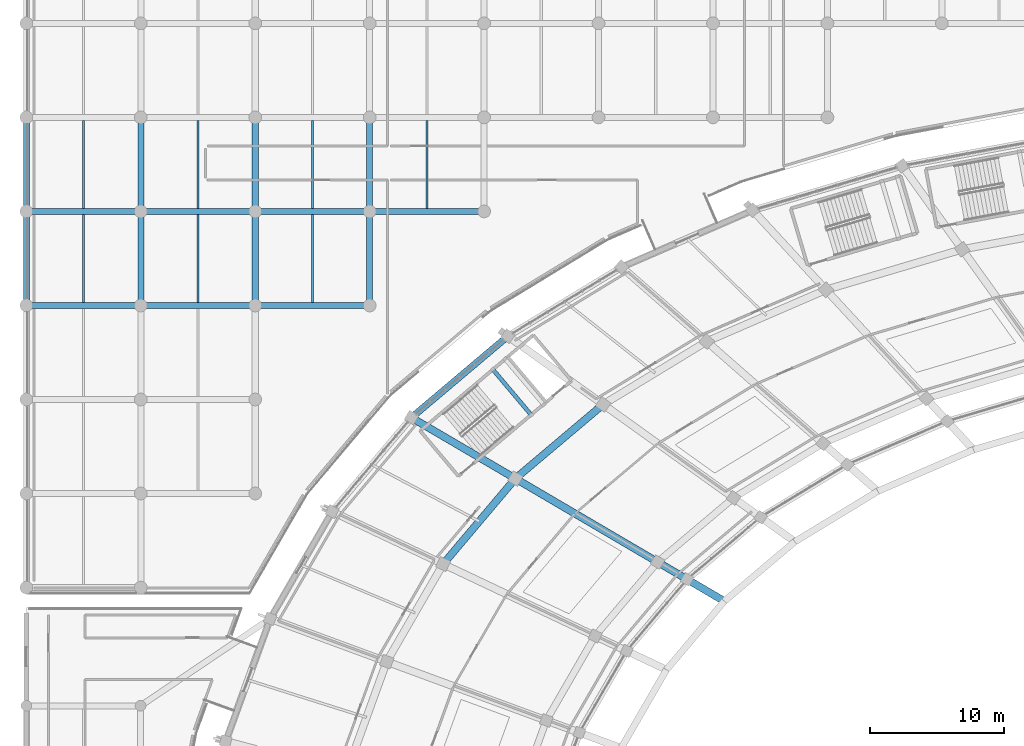
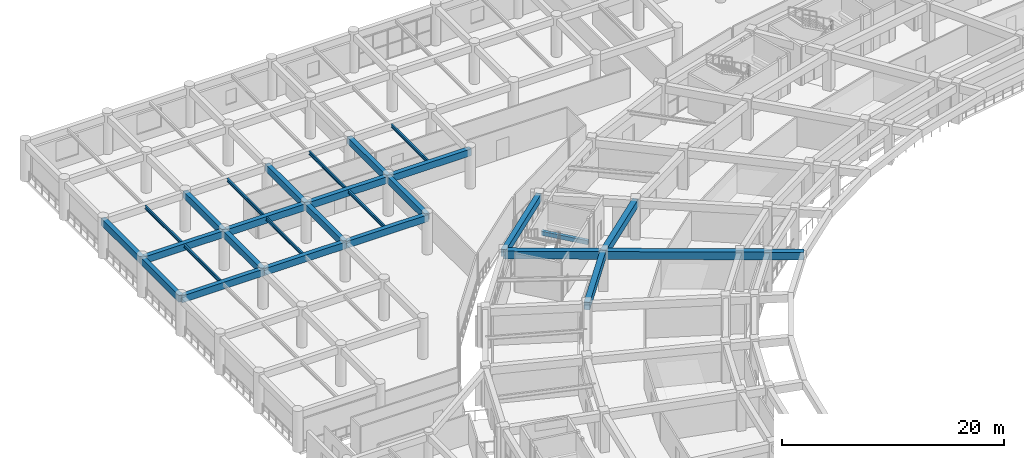
# One storey, part 56 of 145: 28 beams.
"""IFC4 building model written with IfcOpenShell, lengths in metres."""

from ifc_helpers import new_model, si_unit, direction, frame, origin, origin_2d, place, context, subcontext, project, spatial, rectangle, i_section, extrude, material, material_profile, profile_set, type_object, element, save


model = new_model("IFC4")

# Units and contexts
model_context = context("Model", 3, precision=1e-05, world=origin(), true_north=direction((0.0, 1.0)))
body_context = subcontext(model_context, "Body", "Model", "MODEL_VIEW")
ifc_project = project(units=[si_unit("LENGTHUNIT", "METRE"), si_unit("AREAUNIT", "SQUARE_METRE"), si_unit("VOLUMEUNIT", "CUBIC_METRE"), si_unit("PLANEANGLEUNIT", "RADIAN"), si_unit("MASSUNIT", "GRAM", prefix="KILO")], contexts=[model_context])

# Site, building, storey
site_placement = place(None, origin())
site = spatial("IfcSite", under=ifc_project, at=site_placement, CompositionType="ELEMENT")
building_placement = place(site_placement, origin())
building = spatial("IfcBuilding", under=site, at=building_placement, Name="Mphavela Belvedere Stadium", CompositionType="ELEMENT")
storey_placement = place(building_placement, frame((0.0, 0.0, 10.199951171875)))
storey = spatial("IfcBuildingStorey", under=building, at=storey_placement, Name="L02", CompositionType="ELEMENT", Elevation=10.199951171875)

# Beams
ifc_material_1 = material(Name="Steel S355", Category="steel")
ifc_material_profile_1 = material_profile(ifc_material_1, i_section(OverallWidth=0.169921875, OverallDepth=0.360107421875, WebThickness=0.008056640625, FlangeThickness=0.0126953125, at=origin_2d()), Name="IPE 360")
ifc_profile_set_1 = profile_set([ifc_material_profile_1], Name="Steel S355")
beam_type_1 = type_object("IfcBeamType", Name="BM-JOIST-IPE360", PredefinedType="JOIST", material=ifc_profile_set_1)
for number, where, z_axis, x_axis, name in (
    (1, (4.259521484375, 146.22509765625, 4.06005859375), (0.0, 1.0, 0.0), (-1.0, 0.0, 0.0), "North Mast and Ceremonial End Forecourt secondary joist L02 1-4"),
    (2, (4.259521484375, 153.22509765625, 4.06005859375), (0.0, 1.0, 0.0), (-1.0, 0.0, 0.0), "North Mast and Ceremonial End Forecourt secondary joist L02 1-5"),
    (3, (12.778076171875, 146.22509765625, 4.06005859375), (0.0, 1.0, 0.0), (-1.0, 0.0, 0.0), "North Mast and Ceremonial End Forecourt secondary joist L02 2-4"),
    (4, (12.778076171875, 153.22509765625, 4.06005859375), (0.0, 1.0, 0.0), (-1.0, 0.0, 0.0), "North Mast and Ceremonial End Forecourt secondary joist L02 2-5"),
    (5, (21.29638671875, 146.22509765625, 4.06005859375), (0.0, 1.0, 0.0), (-1.0, 0.0, 0.0), "North Mast and Ceremonial End Forecourt secondary joist L02 3-4"),
    (6, (21.29638671875, 153.22509765625, 4.06005859375), (0.0, 1.0, 0.0), (-1.0, 0.0, 0.0), "North Mast and Ceremonial End Forecourt secondary joist L02 3-5"),
    (7, (29.81494140625, 153.22509765625, 4.06005859375), (0.0, 1.0, 0.0), (-1.0, 0.0, 0.0), "North Mast and Ceremonial End Forecourt secondary joist L02 4-5"),
):
    element("IfcBeam", number, at=place(storey_placement, frame(where, z_axis=z_axis, x_axis=x_axis)), inside=storey, type_object=beam_type_1, Name=name, PredefinedType="JOIST", context=body_context, shape_type="SweptSolid", body=[
        extrude(i_section(OverallWidth=0.169921875, OverallDepth=0.360107421875, WebThickness=0.008056640625, FlangeThickness=0.0126953125, at=origin_2d()), origin(), (0.0, 0.0, 1.0), 6.5498046875),
    ])
ifc_material_2 = material(Name="Concrete C40/50", Category="concrete")
ifc_material_profile_2 = material_profile(ifc_material_2, rectangle(XDim=0.300048828125, YDim=0.449951171875, at=origin_2d()), Name="RC 300x450")
ifc_profile_set_2 = profile_set([ifc_material_profile_2], Name="Concrete C40/50")
beam_type_2 = type_object("IfcBeamType", Name="BM-RC300x450", PredefinedType="BEAM", material=ifc_profile_set_2)
beam_1_placement = place(storey_placement, frame((37.5927734375, 137.838623046875, 1.824951171875), z_axis=(-0.644915803055, 0.764253627384, 0.0), x_axis=(-0.764253627384, -0.644915803055, 0.0)))
element("IfcBeam", 8, at=beam_1_placement, inside=storey, type_object=beam_type_2, Name="Core C05 landing trimmer beam L02-1", PredefinedType="BEAM", context=body_context, shape_type="SweptSolid", body=[
    extrude(rectangle(XDim=0.300048828125, YDim=0.449951171875, at=origin_2d()), origin(), (0.0, 0.0, 1.0), 4.469970703125),
])
ifc_material_3 = material(Name="Concrete C40/50", Category="concrete")
ifc_material_profile_3 = material_profile(ifc_material_3, rectangle(XDim=0.449951171875, YDim=0.75, at=origin_2d()), Name="RC 450x750")
ifc_profile_set_3 = profile_set([ifc_material_profile_3], Name="Concrete C40/50")
beam_type_3 = type_object("IfcBeamType", Name="BM-RC450x750", PredefinedType="BEAM", material=ifc_profile_set_3)
beam_2_placement = place(storey_placement, frame((0.0, 146.0, 3.864990234375), z_axis=(1.0, 0.0, 0.0), x_axis=(0.0, 1.0, 0.0)))
element("IfcBeam", 9, at=beam_2_placement, inside=storey, type_object=beam_type_3, Name="North Mast and Ceremonial End Forecourt entablature beam X L02 1-4", PredefinedType="BEAM", context=body_context, shape_type="SweptSolid", body=[
    extrude(rectangle(XDim=0.449951171875, YDim=0.75, at=origin_2d()), origin(), (0.0, 0.0, 1.0), 8.51904296875),
])
beam_3_placement = place(storey_placement, frame((0.0, 146.0, 3.864990234375), z_axis=(0.0, 1.0, 0.0), x_axis=(-1.0, 0.0, 0.0)))
element("IfcBeam", 10, at=beam_3_placement, inside=storey, type_object=beam_type_3, Name="North Mast and Ceremonial End Forecourt entablature beam Y L02 1-4", PredefinedType="BEAM", context=body_context, shape_type="SweptSolid", body=[
    extrude(rectangle(XDim=0.449951171875, YDim=0.75, at=origin_2d()), origin(), (0.0, 0.0, 1.0), 7.0),
])
beam_4_placement = place(storey_placement, frame((0.0, 153.0, 3.864990234375), z_axis=(1.0, 0.0, 0.0), x_axis=(0.0, 1.0, 0.0)))
element("IfcBeam", 11, at=beam_4_placement, inside=storey, type_object=beam_type_3, Name="North Mast and Ceremonial End Forecourt entablature beam X L02 1-5", PredefinedType="BEAM", context=body_context, shape_type="SweptSolid", body=[
    extrude(rectangle(XDim=0.449951171875, YDim=0.75, at=origin_2d()), origin(), (0.0, 0.0, 1.0), 8.51904296875),
])
beam_5_placement = place(storey_placement, frame((0.0, 153.0, 3.864990234375), z_axis=(0.0, 1.0, 0.0), x_axis=(-1.0, 0.0, 0.0)))
element("IfcBeam", 12, at=beam_5_placement, inside=storey, type_object=beam_type_3, Name="North Mast and Ceremonial End Forecourt entablature beam Y L02 1-5", PredefinedType="BEAM", context=body_context, shape_type="SweptSolid", body=[
    extrude(rectangle(XDim=0.449951171875, YDim=0.75, at=origin_2d()), origin(), (0.0, 0.0, 1.0), 7.0),
])
beam_6_placement = place(storey_placement, frame((8.51904296875, 146.0, 3.864990234375), z_axis=(1.0, 0.0, 0.0), x_axis=(0.0, 1.0, 0.0)))
element("IfcBeam", 13, at=beam_6_placement, inside=storey, type_object=beam_type_3, Name="North Mast and Ceremonial End Forecourt entablature beam X L02 2-4", PredefinedType="BEAM", context=body_context, shape_type="SweptSolid", body=[
    extrude(rectangle(XDim=0.449951171875, YDim=0.75, at=origin_2d()), origin(), (0.0, 0.0, 1.0), 8.51806640625),
])
beam_7_placement = place(storey_placement, frame((8.51904296875, 146.0, 3.864990234375), z_axis=(0.0, 1.0, 0.0), x_axis=(-1.0, 0.0, 0.0)))
element("IfcBeam", 14, at=beam_7_placement, inside=storey, type_object=beam_type_3, Name="North Mast and Ceremonial End Forecourt entablature beam Y L02 2-4", PredefinedType="BEAM", context=body_context, shape_type="SweptSolid", body=[
    extrude(rectangle(XDim=0.449951171875, YDim=0.75, at=origin_2d()), origin(), (0.0, 0.0, 1.0), 7.0),
])
beam_8_placement = place(storey_placement, frame((8.51904296875, 153.0, 3.864990234375), z_axis=(1.0, 0.0, 0.0), x_axis=(0.0, 1.0, 0.0)))
element("IfcBeam", 15, at=beam_8_placement, inside=storey, type_object=beam_type_3, Name="North Mast and Ceremonial End Forecourt entablature beam X L02 2-5", PredefinedType="BEAM", context=body_context, shape_type="SweptSolid", body=[
    extrude(rectangle(XDim=0.449951171875, YDim=0.75, at=origin_2d()), origin(), (0.0, 0.0, 1.0), 8.51806640625),
])
beam_9_placement = place(storey_placement, frame((8.51904296875, 153.0, 3.864990234375), z_axis=(0.0, 1.0, 0.0), x_axis=(-1.0, 0.0, 0.0)))
element("IfcBeam", 16, at=beam_9_placement, inside=storey, type_object=beam_type_3, Name="North Mast and Ceremonial End Forecourt entablature beam Y L02 2-5", PredefinedType="BEAM", context=body_context, shape_type="SweptSolid", body=[
    extrude(rectangle(XDim=0.449951171875, YDim=0.75, at=origin_2d()), origin(), (0.0, 0.0, 1.0), 7.0),
])
beam_10_placement = place(storey_placement, frame((17.037109375, 146.0, 3.864990234375), z_axis=(1.0, 0.0, 0.0), x_axis=(0.0, 1.0, 0.0)))
element("IfcBeam", 17, at=beam_10_placement, inside=storey, type_object=beam_type_3, Name="North Mast and Ceremonial End Forecourt entablature beam X L02 3-4", PredefinedType="BEAM", context=body_context, shape_type="SweptSolid", body=[
    extrude(rectangle(XDim=0.449951171875, YDim=0.75, at=origin_2d()), origin(), (0.0, 0.0, 1.0), 8.518798828125),
])
beam_11_placement = place(storey_placement, frame((17.037109375, 146.0, 3.864990234375), z_axis=(0.0, 1.0, 0.0), x_axis=(-1.0, 0.0, 0.0)))
element("IfcBeam", 18, at=beam_11_placement, inside=storey, type_object=beam_type_3, Name="North Mast and Ceremonial End Forecourt entablature beam Y L02 3-4", PredefinedType="BEAM", context=body_context, shape_type="SweptSolid", body=[
    extrude(rectangle(XDim=0.449951171875, YDim=0.75, at=origin_2d()), origin(), (0.0, 0.0, 1.0), 7.0),
])
beam_12_placement = place(storey_placement, frame((17.037109375, 153.0, 3.864990234375), z_axis=(1.0, 0.0, 0.0), x_axis=(0.0, 1.0, 0.0)))
element("IfcBeam", 19, at=beam_12_placement, inside=storey, type_object=beam_type_3, Name="North Mast and Ceremonial End Forecourt entablature beam X L02 3-5", PredefinedType="BEAM", context=body_context, shape_type="SweptSolid", body=[
    extrude(rectangle(XDim=0.449951171875, YDim=0.75, at=origin_2d()), origin(), (0.0, 0.0, 1.0), 8.518798828125),
])
for number, where, z_axis, x_axis, name in (
    (20, (17.037109375, 153.0, 3.864990234375), (0.0, 1.0, 0.0), (-1.0, 0.0, 0.0), "North Mast and Ceremonial End Forecourt entablature beam Y L02 3-5"),
    (21, (25.555908203125, 146.0, 3.864990234375), (0.0, 1.0, 0.0), (-1.0, 0.0, 0.0), "North Mast and Ceremonial End Forecourt entablature beam Y L02 4-4"),
):
    element("IfcBeam", number, at=place(storey_placement, frame(where, z_axis=z_axis, x_axis=x_axis)), inside=storey, type_object=beam_type_3, Name=name, PredefinedType="BEAM", context=body_context, shape_type="SweptSolid", body=[
        extrude(rectangle(XDim=0.449951171875, YDim=0.75, at=origin_2d()), origin(), (0.0, 0.0, 1.0), 7.0),
    ])
beam_13_placement = place(storey_placement, frame((25.555908203125, 153.0, 3.864990234375), z_axis=(1.0, 0.0, 0.0), x_axis=(0.0, 1.0, 0.0)))
element("IfcBeam", 22, at=beam_13_placement, inside=storey, type_object=beam_type_3, Name="North Mast and Ceremonial End Forecourt entablature beam X L02 4-5", PredefinedType="BEAM", context=body_context, shape_type="SweptSolid", body=[
    extrude(rectangle(XDim=0.449951171875, YDim=0.75, at=origin_2d()), origin(), (0.0, 0.0, 1.0), 8.51806640625),
])
beam_14_placement = place(storey_placement, frame((25.555908203125, 153.0, 3.864990234375), z_axis=(0.0, 1.0, 0.0), x_axis=(-1.0, 0.0, 0.0)))
element("IfcBeam", 23, at=beam_14_placement, inside=storey, type_object=beam_type_3, Name="North Mast and Ceremonial End Forecourt entablature beam Y L02 4-5", PredefinedType="BEAM", context=body_context, shape_type="SweptSolid", body=[
    extrude(rectangle(XDim=0.449951171875, YDim=0.75, at=origin_2d()), origin(), (0.0, 0.0, 1.0), 7.0),
])
ifc_material_4 = material(Name="Concrete C40/50", Category="concrete")
ifc_material_profile_4 = material_profile(ifc_material_4, rectangle(XDim=0.550048828125, YDim=0.85009765625, at=origin_2d()), Name="RC 550x850")
ifc_profile_set_4 = profile_set([ifc_material_profile_4], Name="Concrete C40/50")
beam_type_4 = type_object("IfcBeamType", Name="BM-RC550x850", PredefinedType="BEAM", material=ifc_profile_set_4)
beam_15_placement = place(storey_placement, frame((42.938720703125, 138.631591796875, 3.824951171875), z_axis=(-0.764263355392, -0.644904274761, 0.0), x_axis=(0.644904274761, -0.764263355392, 0.0)))
element("IfcBeam", 24, at=beam_15_placement, inside=storey, type_object=beam_type_4, Name="Circumferential girder L02 R3-19", PredefinedType="BEAM", context=body_context, shape_type="SweptSolid", body=[
    extrude(rectangle(XDim=0.550048828125, YDim=0.85009765625, at=origin_2d()), origin(), (0.0, 0.0, 1.0), 8.55615234375),
])
beam_16_placement = place(storey_placement, frame((36.399658203125, 133.11376953125, 3.824951171875), z_axis=(-0.645177396673, -0.764032804808, 0.0), x_axis=(0.764032804808, -0.645177396673, 0.0)))
element("IfcBeam", 25, at=beam_16_placement, inside=storey, type_object=beam_type_4, Name="Circumferential girder L02 R3-20", PredefinedType="BEAM", context=body_context, shape_type="SweptSolid", body=[
    extrude(rectangle(XDim=0.550048828125, YDim=0.85009765625, at=origin_2d()), origin(), (0.0, 0.0, 1.0), 8.331298828125),
])
beam_17_placement = place(storey_placement, frame((36.399658203125, 133.11376953125, 3.824951171875), z_axis=(-0.862517779395, 0.506026758411, 0.0), x_axis=(-0.506026758411, -0.862517779395, 0.0)))
element("IfcBeam", 26, at=beam_17_placement, inside=storey, type_object=beam_type_4, Name="Radial concourse girder L02 R3R4-20", PredefinedType="BEAM", context=body_context, shape_type="SweptSolid", body=[
    extrude(rectangle(XDim=0.550048828125, YDim=0.85009765625, at=origin_2d()), origin(), (0.0, 0.0, 1.0), 8.971435546875),
])
beam_18_placement = place(storey_placement, frame((51.956787109375, 123.986572265625, 3.824951171875), z_axis=(-0.862516477439, 0.506028977575, 0.0), x_axis=(-0.506028977575, -0.862516477439, 0.0)))
element("IfcBeam", 27, at=beam_18_placement, inside=storey, type_object=beam_type_4, Name="Upper tier box-front outrigger girder 20", PredefinedType="BEAM", context=body_context, shape_type="SweptSolid", body=[
    extrude(rectangle(XDim=0.550048828125, YDim=0.85009765625, at=origin_2d()), origin(), (0.0, 0.0, 1.0), 18.036865234375),
])
ifc_material_5 = material(Name="Concrete C40/50", Category="concrete")
ifc_material_profile_5 = material_profile(ifc_material_5, rectangle(XDim=0.5, YDim=0.800048828125, at=origin_2d()), Name="RC 500x800")
ifc_profile_set_5 = profile_set([ifc_material_profile_5], Name="Concrete C40/50")
beam_type_5 = type_object("IfcBeamType", Name="BM-SPANDREL-800", PredefinedType="SPANDREL", material=ifc_profile_set_5)
beam_19_placement = place(storey_placement, frame((35.844482421875, 143.714599609375, 3.85009765625), z_axis=(-0.76426547638, -0.644901761212, 0.0), x_axis=(0.644901761212, -0.76426547638, 0.0)))
element("IfcBeam", 28, at=beam_19_placement, inside=storey, type_object=beam_type_5, Name="Circumferential girder L02 R4-19", PredefinedType="SPANDREL", context=body_context, shape_type="SweptSolid", body=[
    extrude(rectangle(XDim=0.5, YDim=0.800048828125, at=origin_2d()), origin(), (0.0, 0.0, 1.0), 9.3984375),
])

save(model, "model.ifc")
